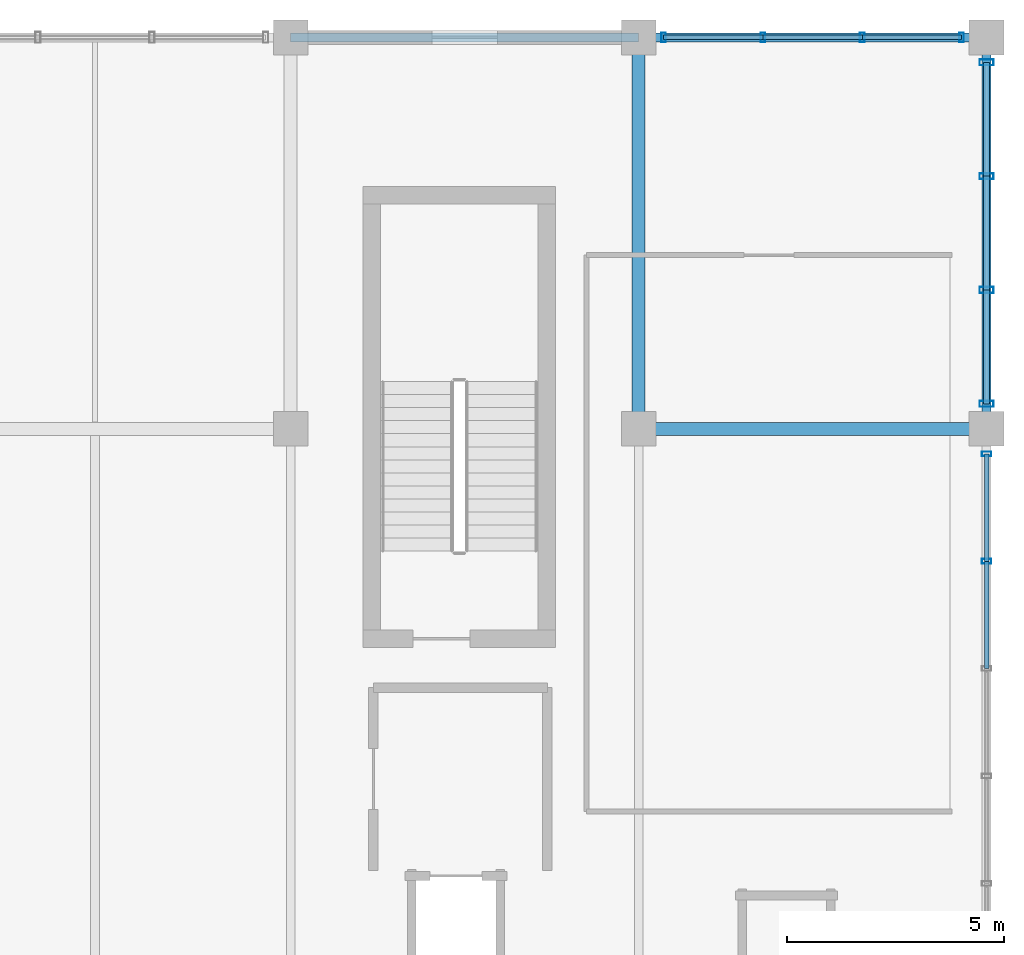
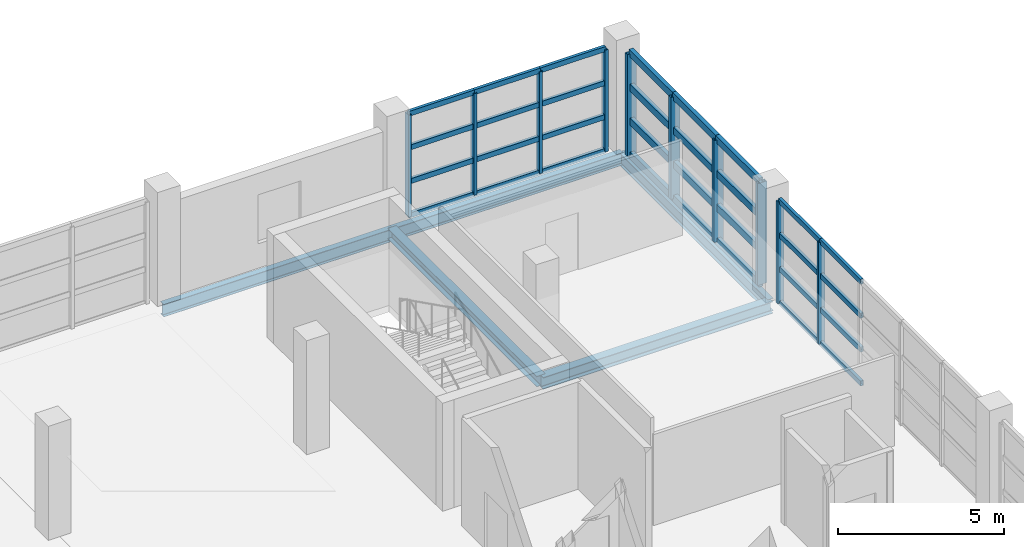
# One storey, part 96 of 136: 42 members, 5 beams, 3 elements without a shape of their own.
"""IFC4 building model written with IfcOpenShell, lengths in metres."""

from ifc_helpers import new_model, si_unit, direction, frame, origin, origin_2d, place, context, subcontext, project, spatial, hollow_rectangle, i_section, extrude, material, material_profile, profile_set, type_object, element, aggregate, save


model = new_model("IFC4")

# Units and contexts
model_context = context("Model", 3, precision=1e-05, world=origin(), true_north=direction((0.0, 1.0)))
body_context = subcontext(model_context, "Body", "Model", "MODEL_VIEW")
ifc_project = project(units=[si_unit("LENGTHUNIT", "METRE"), si_unit("AREAUNIT", "SQUARE_METRE"), si_unit("VOLUMEUNIT", "CUBIC_METRE"), si_unit("PLANEANGLEUNIT", "RADIAN"), si_unit("MASSUNIT", "GRAM", prefix="KILO")], contexts=[model_context])

# Site, building, storey
site_placement = place(None, origin())
site = spatial("IfcSite", under=ifc_project, at=site_placement, CompositionType="ELEMENT")
building_placement = place(site_placement, origin())
building = spatial("IfcBuilding", under=site, at=building_placement, Name="Chuanluo Vaults Station", CompositionType="ELEMENT")
storey_placement = place(building_placement, frame((0.0, 0.0, 6.60009765625)))
storey = spatial("IfcBuildingStorey", under=building, at=storey_placement, Name="L01", CompositionType="ELEMENT", Elevation=6.60009765625)

# Beams
ifc_material_1 = material(Name="Steel Q355C", Category="steel")
ifc_material_profile_1 = material_profile(ifc_material_1, i_section(OverallWidth=0.300048828125, OverallDepth=0.389892578125, WebThickness=0.010009765625, FlangeThickness=0.01611328125, FilletRadius=0.02001953125, at=origin_2d()))
ifc_profile_set_1 = profile_set([ifc_material_profile_1], Name="Steel Q355C")
beam_type_1 = type_object("IfcBeamType", Name="BM-GRD-400", PredefinedType="BEAM", material=ifc_profile_set_1)
beam_1_placement = place(storey_placement, frame((180.0, 117.0, -0.43505859375), z_axis=(0.0, 1.0, 0.0), x_axis=(-1.0, 0.0, 0.0)))
element("IfcBeam", 1, at=beam_1_placement, inside=storey, type_object=beam_type_1, Name="Floor girder BM:GY:L01:0522", PredefinedType="BEAM", context=body_context, shape_type="SweptSolid", body=[
    extrude(i_section(OverallWidth=0.300048828125, OverallDepth=0.389892578125, WebThickness=0.010009765625, FlangeThickness=0.01611328125, FilletRadius=0.02001953125, at=origin_2d()), origin(), (0.0, 0.0, 1.0), 9.0),
])
ifc_material_2 = material(Name="Steel Q355C", Category="steel")
ifc_material_profile_2 = material_profile(ifc_material_2, i_section(OverallWidth=0.300048828125, OverallDepth=0.43994140625, WebThickness=0.010986328125, FlangeThickness=0.01806640625, FilletRadius=0.02001953125, at=origin_2d()))
ifc_profile_set_2 = profile_set([ifc_material_profile_2], Name="Steel Q355C")
beam_type_2 = type_object("IfcBeamType", Name="BM-GRD-450", PredefinedType="USERDEFINED", material=ifc_profile_set_2)
beam_2_placement = place(storey_placement, frame((180.0, 117.0, -0.460205078125), z_axis=(1.0, 0.0, 0.0), x_axis=(0.0, 1.0, 0.0)))
element("IfcBeam", 2, at=beam_2_placement, inside=storey, type_object=beam_type_2, Name="Floor girder BM:GX:L01:0390", ObjectType="GIRDER", PredefinedType="USERDEFINED", context=body_context, shape_type="SweptSolid", body=[
    extrude(i_section(OverallWidth=0.300048828125, OverallDepth=0.43994140625, WebThickness=0.010986328125, FlangeThickness=0.01806640625, FilletRadius=0.02001953125, at=origin_2d()), origin(), (0.0, 0.0, 1.0), 8.0),
])
ifc_material_3 = material(Name="Steel Q355C", Category="steel")
ifc_material_profile_3 = material_profile(ifc_material_3, i_section(OverallWidth=0.205078125, OverallDepth=0.4599609375, WebThickness=0.009033203125, FlangeThickness=0.013916015625, FilletRadius=0.01611328125, at=origin_2d()))
ifc_profile_set_3 = profile_set([ifc_material_profile_3], Name="Steel Q355C")
beam_type_3 = type_object("IfcBeamType", Name="BM-SPN-450", PredefinedType="SPANDREL", material=ifc_profile_set_3)
for number, where, z_axis, x_axis, name in (
    (3, (172.0, 126.0, -0.47021484375), (1.0, 0.0, 0.0), (0.0, 1.0, 0.0), "Floor girder BM:GX:L01:0404"),
    (4, (180.0, 126.0, -0.47021484375), (1.0, 0.0, 0.0), (0.0, 1.0, 0.0), "Floor girder BM:GX:L01:0405"),
):
    element("IfcBeam", number, at=place(storey_placement, frame(where, z_axis=z_axis, x_axis=x_axis)), inside=storey, type_object=beam_type_3, Name=name, PredefinedType="SPANDREL", context=body_context, shape_type="SweptSolid", body=[
        extrude(i_section(OverallWidth=0.205078125, OverallDepth=0.4599609375, WebThickness=0.009033203125, FlangeThickness=0.013916015625, FilletRadius=0.01611328125, at=origin_2d()), origin(), (0.0, 0.0, 1.0), 8.0),
    ])
beam_3_placement = place(storey_placement, frame((188.0, 117.0, -0.47021484375), z_axis=(0.0, 1.0, 0.0), x_axis=(-1.0, 0.0, 0.0)))
element("IfcBeam", 5, at=beam_3_placement, inside=storey, type_object=beam_type_3, Name="Floor girder BM:GY:L01:0534", PredefinedType="SPANDREL", context=body_context, shape_type="SweptSolid", body=[
    extrude(i_section(OverallWidth=0.205078125, OverallDepth=0.4599609375, WebThickness=0.009033203125, FlangeThickness=0.013916015625, FilletRadius=0.01611328125, at=origin_2d()), origin(), (0.0, 0.0, 1.0), 9.0),
])

# Curtain wall, members
ifc_material_4 = material(Name="Anodised aluminium 6063-T6", Category="aluminium")
curtain_wall_type_1 = type_object("IfcCurtainWallType", Name="CW-SYS-24", PredefinedType="NOTDEFINED", material=ifc_material_4)
curtain_wall_1_placement = place(storey_placement, origin())
curtain_wall_1 = element("IfcCurtainWall", 6, at=curtain_wall_1_placement, inside=storey, type_object=curtain_wall_type_1, Name="Operations L01 facade CW", PredefinedType="NOTDEFINED")
ifc_material_5 = material(Name="Anodised aluminium 6063-T6", Category="aluminium")
ifc_material_profile_4 = material_profile(ifc_material_5, hollow_rectangle(XDim=0.10498046875, YDim=0.219970703125, WallThickness=0.006103515625, at=origin_2d()))
ifc_profile_set_4 = profile_set([ifc_material_profile_4], Name="Anodised aluminium 6063-T6")
member_type_1 = type_object("IfcMemberType", Name="CWM-140", PredefinedType="MULLION", material=ifc_profile_set_4)
member_1_placement = place(storey_placement, frame((180.574951171875, 126.0, 0.0), z_axis=(0.0, 0.0, 1.0), x_axis=(1.0, 0.0, 0.0)))
member_1 = element("IfcMember", 7, at=member_1_placement, type_object=member_type_1, Name="Operations L01 facade CW mullion 1", PredefinedType="MULLION", context=body_context, shape_type="SweptSolid", body=[
    extrude(hollow_rectangle(XDim=0.10498046875, YDim=0.219970703125, WallThickness=0.006103515625, at=origin_2d()), origin(), (0.0, 0.0, 1.0), 3.75),
])
member_2_placement = place(storey_placement, frame((182.8583984375, 126.0, 0.0), z_axis=(0.0, 0.0, 1.0), x_axis=(1.0, 0.0, 0.0)))
member_2 = element("IfcMember", 8, at=member_2_placement, type_object=member_type_1, Name="Operations L01 facade CW mullion 2", PredefinedType="MULLION", context=body_context, shape_type="SweptSolid", body=[
    extrude(hollow_rectangle(XDim=0.10498046875, YDim=0.219970703125, WallThickness=0.006103515625, at=origin_2d()), origin(), (0.0, 0.0, 1.0), 3.75),
])
member_3_placement = place(storey_placement, frame((185.1416015625, 126.0, 0.0), z_axis=(0.0, 0.0, 1.0), x_axis=(1.0, 0.0, 0.0)))
member_3 = element("IfcMember", 9, at=member_3_placement, type_object=member_type_1, Name="Operations L01 facade CW mullion 3", PredefinedType="MULLION", context=body_context, shape_type="SweptSolid", body=[
    extrude(hollow_rectangle(XDim=0.10498046875, YDim=0.219970703125, WallThickness=0.006103515625, at=origin_2d()), origin(), (0.0, 0.0, 1.0), 3.75),
])
member_4_placement = place(storey_placement, frame((187.425048828125, 126.0, 0.0), z_axis=(0.0, 0.0, 1.0), x_axis=(1.0, 0.0, 0.0)))
member_4 = element("IfcMember", 10, at=member_4_placement, type_object=member_type_1, Name="Operations L01 facade CW mullion 4", PredefinedType="MULLION", context=body_context, shape_type="SweptSolid", body=[
    extrude(hollow_rectangle(XDim=0.10498046875, YDim=0.219970703125, WallThickness=0.006103515625, at=origin_2d()), origin(), (0.0, 0.0, 1.0), 3.75),
])

ifc_material_6 = material(Name="Anodised aluminium 6063-T6", Category="aluminium")
curtain_wall_type_2 = type_object("IfcCurtainWallType", Name="CW-SYS-28", PredefinedType="NOTDEFINED", material=ifc_material_6)
curtain_wall_2_placement = place(storey_placement, origin())
curtain_wall_2 = element("IfcCurtainWall", 11, at=curtain_wall_2_placement, inside=storey, type_object=curtain_wall_type_2, Name="Operations L01 facade CW", PredefinedType="NOTDEFINED")
member_5_placement = place(storey_placement, frame((188.0, 116.425048828125, 0.0), z_axis=(0.0, 0.0, 1.0), x_axis=(0.0, -1.0, 0.0)))
member_5 = element("IfcMember", 12, at=member_5_placement, type_object=member_type_1, Name="Operations L01 facade CW mullion 1", PredefinedType="MULLION", context=body_context, shape_type="SweptSolid", body=[
    extrude(hollow_rectangle(XDim=0.10498046875, YDim=0.219970703125, WallThickness=0.006103515625, at=origin_2d()), origin(), (0.0, 0.0, 1.0), 3.75),
])
member_6_placement = place(storey_placement, frame((188.0, 113.955078125, 0.0), z_axis=(0.0, 0.0, 1.0), x_axis=(0.0, -1.0, 0.0)))
member_6 = element("IfcMember", 13, at=member_6_placement, type_object=member_type_1, Name="Operations L01 facade CW mullion 2", PredefinedType="MULLION", context=body_context, shape_type="SweptSolid", body=[
    extrude(hollow_rectangle(XDim=0.10498046875, YDim=0.219970703125, WallThickness=0.006103515625, at=origin_2d()), origin(), (0.0, 0.0, 1.0), 3.75),
])

ifc_material_7 = material(Name="Anodised aluminium 6063-T6", Category="aluminium")
curtain_wall_type_3 = type_object("IfcCurtainWallType", Name="CW-SYS-01", PredefinedType="NOTDEFINED", material=ifc_material_7)
curtain_wall_3_placement = place(storey_placement, origin())
curtain_wall_3 = element("IfcCurtainWall", 14, at=curtain_wall_3_placement, inside=storey, type_object=curtain_wall_type_3, Name="Operations L01 facade CW", PredefinedType="NOTDEFINED")
ifc_material_8 = material(Name="Anodised aluminium 6063-T6", Category="aluminium")
ifc_material_profile_5 = material_profile(ifc_material_8, hollow_rectangle(XDim=0.139892578125, YDim=0.320068359375, WallThickness=0.008056640625, at=origin_2d()))
ifc_profile_set_5 = profile_set([ifc_material_profile_5], Name="Anodised aluminium 6063-T6")
member_type_2 = type_object("IfcMemberType", Name="CWM-220", PredefinedType="MULLION", material=ifc_profile_set_5)
member_7_placement = place(storey_placement, frame((188.0, 125.425048828125, 0.0), z_axis=(0.0, 0.0, 1.0), x_axis=(0.0, -1.0, 0.0)))
member_7 = element("IfcMember", 15, at=member_7_placement, type_object=member_type_2, Name="Operations L01 facade CW mullion 1", PredefinedType="MULLION", context=body_context, shape_type="SweptSolid", body=[
    extrude(hollow_rectangle(XDim=0.139892578125, YDim=0.320068359375, WallThickness=0.008056640625, at=origin_2d()), origin(), (0.0, 0.0, 1.0), 3.75),
])
member_8_placement = place(storey_placement, frame((188.0, 122.808349609375, 0.0), z_axis=(0.0, 0.0, 1.0), x_axis=(0.0, -1.0, 0.0)))
member_8 = element("IfcMember", 16, at=member_8_placement, type_object=member_type_2, Name="Operations L01 facade CW mullion 2", PredefinedType="MULLION", context=body_context, shape_type="SweptSolid", body=[
    extrude(hollow_rectangle(XDim=0.139892578125, YDim=0.320068359375, WallThickness=0.008056640625, at=origin_2d()), origin(), (0.0, 0.0, 1.0), 3.75),
])
member_9_placement = place(storey_placement, frame((188.0, 120.191650390625, 0.0), z_axis=(0.0, 0.0, 1.0), x_axis=(0.0, -1.0, 0.0)))
member_9 = element("IfcMember", 17, at=member_9_placement, type_object=member_type_2, Name="Operations L01 facade CW mullion 3", PredefinedType="MULLION", context=body_context, shape_type="SweptSolid", body=[
    extrude(hollow_rectangle(XDim=0.139892578125, YDim=0.320068359375, WallThickness=0.008056640625, at=origin_2d()), origin(), (0.0, 0.0, 1.0), 3.75),
])
member_10_placement = place(storey_placement, frame((188.0, 117.574951171875, 0.0), z_axis=(0.0, 0.0, 1.0), x_axis=(0.0, -1.0, 0.0)))
member_10 = element("IfcMember", 18, at=member_10_placement, type_object=member_type_2, Name="Operations L01 facade CW mullion 4", PredefinedType="MULLION", context=body_context, shape_type="SweptSolid", body=[
    extrude(hollow_rectangle(XDim=0.139892578125, YDim=0.320068359375, WallThickness=0.008056640625, at=origin_2d()), origin(), (0.0, 0.0, 1.0), 3.75),
])

# Member
ifc_material_9 = material(Name="Anodised aluminium 6063-T6", Category="aluminium")
ifc_material_profile_6 = material_profile(ifc_material_9, hollow_rectangle(XDim=0.10498046875, YDim=0.18505859375, WallThickness=0.0048828125, at=origin_2d()))
ifc_profile_set_6 = profile_set([ifc_material_profile_6], Name="Anodised aluminium 6063-T6")
member_type_3 = type_object("IfcMemberType", Name="CWT-110", PredefinedType="USERDEFINED", material=ifc_profile_set_6)
member_11_placement = place(storey_placement, frame((180.574951171875, 126.0, 0.0), z_axis=(1.0, 0.0, 0.0), x_axis=(0.0, 1.0, 0.0)))
member_11 = element("IfcMember", 19, at=member_11_placement, type_object=member_type_3, Name="Operations L01 facade CW transom 1.1", ObjectType="TRANSOM", PredefinedType="USERDEFINED", context=body_context, shape_type="SweptSolid", body=[
    extrude(hollow_rectangle(XDim=0.10498046875, YDim=0.18505859375, WallThickness=0.0048828125, at=origin_2d()), origin(), (0.0, 0.0, 1.0), 2.283447265625),
])

member_12_placement = place(storey_placement, frame((180.574951171875, 126.0, 1.25), z_axis=(1.0, 0.0, 0.0), x_axis=(0.0, 1.0, 0.0)))
member_12 = element("IfcMember", 20, at=member_12_placement, type_object=member_type_3, Name="Operations L01 facade CW transom 1.2", ObjectType="TRANSOM", PredefinedType="USERDEFINED", context=body_context, shape_type="SweptSolid", body=[
    extrude(hollow_rectangle(XDim=0.10498046875, YDim=0.18505859375, WallThickness=0.0048828125, at=origin_2d()), origin(), (0.0, 0.0, 1.0), 2.283447265625),
])

member_13_placement = place(storey_placement, frame((180.574951171875, 126.0, 2.5), z_axis=(1.0, 0.0, 0.0), x_axis=(0.0, 1.0, 0.0)))
member_13 = element("IfcMember", 21, at=member_13_placement, type_object=member_type_3, Name="Operations L01 facade CW transom 1.3", ObjectType="TRANSOM", PredefinedType="USERDEFINED", context=body_context, shape_type="SweptSolid", body=[
    extrude(hollow_rectangle(XDim=0.10498046875, YDim=0.18505859375, WallThickness=0.0048828125, at=origin_2d()), origin(), (0.0, 0.0, 1.0), 2.283447265625),
])

member_14_placement = place(storey_placement, frame((180.574951171875, 126.0, 3.75), z_axis=(1.0, 0.0, 0.0), x_axis=(0.0, 1.0, 0.0)))
member_14 = element("IfcMember", 22, at=member_14_placement, type_object=member_type_3, Name="Operations L01 facade CW transom 1.4", ObjectType="TRANSOM", PredefinedType="USERDEFINED", context=body_context, shape_type="SweptSolid", body=[
    extrude(hollow_rectangle(XDim=0.10498046875, YDim=0.18505859375, WallThickness=0.0048828125, at=origin_2d()), origin(), (0.0, 0.0, 1.0), 2.283447265625),
])

member_15_placement = place(storey_placement, frame((182.8583984375, 126.0, 0.0), z_axis=(1.0, 0.0, 0.0), x_axis=(0.0, 1.0, 0.0)))
member_15 = element("IfcMember", 23, at=member_15_placement, type_object=member_type_3, Name="Operations L01 facade CW transom 2.1", ObjectType="TRANSOM", PredefinedType="USERDEFINED", context=body_context, shape_type="SweptSolid", body=[
    extrude(hollow_rectangle(XDim=0.10498046875, YDim=0.18505859375, WallThickness=0.0048828125, at=origin_2d()), origin(), (0.0, 0.0, 1.0), 2.283203125),
])

member_16_placement = place(storey_placement, frame((182.8583984375, 126.0, 1.25), z_axis=(1.0, 0.0, 0.0), x_axis=(0.0, 1.0, 0.0)))
member_16 = element("IfcMember", 24, at=member_16_placement, type_object=member_type_3, Name="Operations L01 facade CW transom 2.2", ObjectType="TRANSOM", PredefinedType="USERDEFINED", context=body_context, shape_type="SweptSolid", body=[
    extrude(hollow_rectangle(XDim=0.10498046875, YDim=0.18505859375, WallThickness=0.0048828125, at=origin_2d()), origin(), (0.0, 0.0, 1.0), 2.283203125),
])

member_17_placement = place(storey_placement, frame((182.8583984375, 126.0, 2.5), z_axis=(1.0, 0.0, 0.0), x_axis=(0.0, 1.0, 0.0)))
member_17 = element("IfcMember", 25, at=member_17_placement, type_object=member_type_3, Name="Operations L01 facade CW transom 2.3", ObjectType="TRANSOM", PredefinedType="USERDEFINED", context=body_context, shape_type="SweptSolid", body=[
    extrude(hollow_rectangle(XDim=0.10498046875, YDim=0.18505859375, WallThickness=0.0048828125, at=origin_2d()), origin(), (0.0, 0.0, 1.0), 2.283203125),
])

member_18_placement = place(storey_placement, frame((182.8583984375, 126.0, 3.75), z_axis=(1.0, 0.0, 0.0), x_axis=(0.0, 1.0, 0.0)))
member_18 = element("IfcMember", 26, at=member_18_placement, type_object=member_type_3, Name="Operations L01 facade CW transom 2.4", ObjectType="TRANSOM", PredefinedType="USERDEFINED", context=body_context, shape_type="SweptSolid", body=[
    extrude(hollow_rectangle(XDim=0.10498046875, YDim=0.18505859375, WallThickness=0.0048828125, at=origin_2d()), origin(), (0.0, 0.0, 1.0), 2.283203125),
])

member_19_placement = place(storey_placement, frame((185.1416015625, 126.0, 0.0), z_axis=(1.0, 0.0, 0.0), x_axis=(0.0, 1.0, 0.0)))
member_19 = element("IfcMember", 27, at=member_19_placement, type_object=member_type_3, Name="Operations L01 facade CW transom 3.1", ObjectType="TRANSOM", PredefinedType="USERDEFINED", context=body_context, shape_type="SweptSolid", body=[
    extrude(hollow_rectangle(XDim=0.10498046875, YDim=0.18505859375, WallThickness=0.0048828125, at=origin_2d()), origin(), (0.0, 0.0, 1.0), 2.283447265625),
])

member_20_placement = place(storey_placement, frame((185.1416015625, 126.0, 1.25), z_axis=(1.0, 0.0, 0.0), x_axis=(0.0, 1.0, 0.0)))
member_20 = element("IfcMember", 28, at=member_20_placement, type_object=member_type_3, Name="Operations L01 facade CW transom 3.2", ObjectType="TRANSOM", PredefinedType="USERDEFINED", context=body_context, shape_type="SweptSolid", body=[
    extrude(hollow_rectangle(XDim=0.10498046875, YDim=0.18505859375, WallThickness=0.0048828125, at=origin_2d()), origin(), (0.0, 0.0, 1.0), 2.283447265625),
])

member_21_placement = place(storey_placement, frame((185.1416015625, 126.0, 2.5), z_axis=(1.0, 0.0, 0.0), x_axis=(0.0, 1.0, 0.0)))
member_21 = element("IfcMember", 29, at=member_21_placement, type_object=member_type_3, Name="Operations L01 facade CW transom 3.3", ObjectType="TRANSOM", PredefinedType="USERDEFINED", context=body_context, shape_type="SweptSolid", body=[
    extrude(hollow_rectangle(XDim=0.10498046875, YDim=0.18505859375, WallThickness=0.0048828125, at=origin_2d()), origin(), (0.0, 0.0, 1.0), 2.283447265625),
])

member_22_placement = place(storey_placement, frame((185.1416015625, 126.0, 3.75), z_axis=(1.0, 0.0, 0.0), x_axis=(0.0, 1.0, 0.0)))
member_22 = element("IfcMember", 30, at=member_22_placement, type_object=member_type_3, Name="Operations L01 facade CW transom 3.4", ObjectType="TRANSOM", PredefinedType="USERDEFINED", context=body_context, shape_type="SweptSolid", body=[
    extrude(hollow_rectangle(XDim=0.10498046875, YDim=0.18505859375, WallThickness=0.0048828125, at=origin_2d()), origin(), (0.0, 0.0, 1.0), 2.283447265625),
])

aggregate(curtain_wall_1, [member_1, member_2, member_3, member_4, member_11, member_12, member_13, member_14, member_15, member_16, member_17, member_18, member_19, member_20, member_21, member_22])

member_23_placement = place(storey_placement, frame((188.0, 116.425048828125, 0.0), z_axis=(0.0, -1.0, 0.0), x_axis=(1.0, 0.0, 0.0)))
member_23 = element("IfcMember", 31, at=member_23_placement, type_object=member_type_3, Name="Operations L01 facade CW transom 1.1", ObjectType="TRANSOM", PredefinedType="USERDEFINED", context=body_context, shape_type="SweptSolid", body=[
    extrude(hollow_rectangle(XDim=0.10498046875, YDim=0.18505859375, WallThickness=0.0048828125, at=origin_2d()), origin(), (0.0, 0.0, 1.0), 2.469970703125),
])

member_24_placement = place(storey_placement, frame((188.0, 116.425048828125, 1.25), z_axis=(0.0, -1.0, 0.0), x_axis=(1.0, 0.0, 0.0)))
member_24 = element("IfcMember", 32, at=member_24_placement, type_object=member_type_3, Name="Operations L01 facade CW transom 1.2", ObjectType="TRANSOM", PredefinedType="USERDEFINED", context=body_context, shape_type="SweptSolid", body=[
    extrude(hollow_rectangle(XDim=0.10498046875, YDim=0.18505859375, WallThickness=0.0048828125, at=origin_2d()), origin(), (0.0, 0.0, 1.0), 2.469970703125),
])

member_25_placement = place(storey_placement, frame((188.0, 116.425048828125, 2.5), z_axis=(0.0, -1.0, 0.0), x_axis=(1.0, 0.0, 0.0)))
member_25 = element("IfcMember", 33, at=member_25_placement, type_object=member_type_3, Name="Operations L01 facade CW transom 1.3", ObjectType="TRANSOM", PredefinedType="USERDEFINED", context=body_context, shape_type="SweptSolid", body=[
    extrude(hollow_rectangle(XDim=0.10498046875, YDim=0.18505859375, WallThickness=0.0048828125, at=origin_2d()), origin(), (0.0, 0.0, 1.0), 2.469970703125),
])

member_26_placement = place(storey_placement, frame((188.0, 116.425048828125, 3.75), z_axis=(0.0, -1.0, 0.0), x_axis=(1.0, 0.0, 0.0)))
member_26 = element("IfcMember", 34, at=member_26_placement, type_object=member_type_3, Name="Operations L01 facade CW transom 1.4", ObjectType="TRANSOM", PredefinedType="USERDEFINED", context=body_context, shape_type="SweptSolid", body=[
    extrude(hollow_rectangle(XDim=0.10498046875, YDim=0.18505859375, WallThickness=0.0048828125, at=origin_2d()), origin(), (0.0, 0.0, 1.0), 2.469970703125),
])

member_27_placement = place(storey_placement, frame((188.0, 113.955078125, 0.0), z_axis=(0.0, -1.0, 0.0), x_axis=(1.0, 0.0, 0.0)))
member_27 = element("IfcMember", 35, at=member_27_placement, type_object=member_type_3, Name="Operations L01 facade CW transom 2.1", ObjectType="TRANSOM", PredefinedType="USERDEFINED", context=body_context, shape_type="SweptSolid", body=[
    extrude(hollow_rectangle(XDim=0.10498046875, YDim=0.18505859375, WallThickness=0.0048828125, at=origin_2d()), origin(), (0.0, 0.0, 1.0), 2.469970703125),
])

member_28_placement = place(storey_placement, frame((188.0, 113.955078125, 1.25), z_axis=(0.0, -1.0, 0.0), x_axis=(1.0, 0.0, 0.0)))
member_28 = element("IfcMember", 36, at=member_28_placement, type_object=member_type_3, Name="Operations L01 facade CW transom 2.2", ObjectType="TRANSOM", PredefinedType="USERDEFINED", context=body_context, shape_type="SweptSolid", body=[
    extrude(hollow_rectangle(XDim=0.10498046875, YDim=0.18505859375, WallThickness=0.0048828125, at=origin_2d()), origin(), (0.0, 0.0, 1.0), 2.469970703125),
])

member_29_placement = place(storey_placement, frame((188.0, 113.955078125, 2.5), z_axis=(0.0, -1.0, 0.0), x_axis=(1.0, 0.0, 0.0)))
member_29 = element("IfcMember", 37, at=member_29_placement, type_object=member_type_3, Name="Operations L01 facade CW transom 2.3", ObjectType="TRANSOM", PredefinedType="USERDEFINED", context=body_context, shape_type="SweptSolid", body=[
    extrude(hollow_rectangle(XDim=0.10498046875, YDim=0.18505859375, WallThickness=0.0048828125, at=origin_2d()), origin(), (0.0, 0.0, 1.0), 2.469970703125),
])

member_30_placement = place(storey_placement, frame((188.0, 113.955078125, 3.75), z_axis=(0.0, -1.0, 0.0), x_axis=(1.0, 0.0, 0.0)))
member_30 = element("IfcMember", 38, at=member_30_placement, type_object=member_type_3, Name="Operations L01 facade CW transom 2.4", ObjectType="TRANSOM", PredefinedType="USERDEFINED", context=body_context, shape_type="SweptSolid", body=[
    extrude(hollow_rectangle(XDim=0.10498046875, YDim=0.18505859375, WallThickness=0.0048828125, at=origin_2d()), origin(), (0.0, 0.0, 1.0), 2.469970703125),
])

aggregate(curtain_wall_2, [member_5, member_6, member_23, member_24, member_25, member_26, member_27, member_28, member_29, member_30])

ifc_material_10 = material(Name="Anodised aluminium 6063-T6", Category="aluminium")
ifc_material_profile_7 = material_profile(ifc_material_10, hollow_rectangle(XDim=0.139892578125, YDim=0.260009765625, WallThickness=0.007080078125, at=origin_2d()))
ifc_profile_set_7 = profile_set([ifc_material_profile_7], Name="Anodised aluminium 6063-T6")
member_type_4 = type_object("IfcMemberType", Name="CWT-180", PredefinedType="USERDEFINED", material=ifc_profile_set_7)
member_31_placement = place(storey_placement, frame((188.0, 125.425048828125, 0.0), z_axis=(0.0, -1.0, 0.0), x_axis=(1.0, 0.0, 0.0)))
member_31 = element("IfcMember", 39, at=member_31_placement, type_object=member_type_4, Name="Operations L01 facade CW transom 1.1", ObjectType="TRANSOM", PredefinedType="USERDEFINED", context=body_context, shape_type="SweptSolid", body=[
    extrude(hollow_rectangle(XDim=0.139892578125, YDim=0.260009765625, WallThickness=0.007080078125, at=origin_2d()), origin(), (0.0, 0.0, 1.0), 2.61669921875),
])

member_32_placement = place(storey_placement, frame((188.0, 125.425048828125, 1.25), z_axis=(0.0, -1.0, 0.0), x_axis=(1.0, 0.0, 0.0)))
member_32 = element("IfcMember", 40, at=member_32_placement, type_object=member_type_4, Name="Operations L01 facade CW transom 1.2", ObjectType="TRANSOM", PredefinedType="USERDEFINED", context=body_context, shape_type="SweptSolid", body=[
    extrude(hollow_rectangle(XDim=0.139892578125, YDim=0.260009765625, WallThickness=0.007080078125, at=origin_2d()), origin(), (0.0, 0.0, 1.0), 2.61669921875),
])

member_33_placement = place(storey_placement, frame((188.0, 125.425048828125, 2.5), z_axis=(0.0, -1.0, 0.0), x_axis=(1.0, 0.0, 0.0)))
member_33 = element("IfcMember", 41, at=member_33_placement, type_object=member_type_4, Name="Operations L01 facade CW transom 1.3", ObjectType="TRANSOM", PredefinedType="USERDEFINED", context=body_context, shape_type="SweptSolid", body=[
    extrude(hollow_rectangle(XDim=0.139892578125, YDim=0.260009765625, WallThickness=0.007080078125, at=origin_2d()), origin(), (0.0, 0.0, 1.0), 2.61669921875),
])

member_34_placement = place(storey_placement, frame((188.0, 125.425048828125, 3.75), z_axis=(0.0, -1.0, 0.0), x_axis=(1.0, 0.0, 0.0)))
member_34 = element("IfcMember", 42, at=member_34_placement, type_object=member_type_4, Name="Operations L01 facade CW transom 1.4", ObjectType="TRANSOM", PredefinedType="USERDEFINED", context=body_context, shape_type="SweptSolid", body=[
    extrude(hollow_rectangle(XDim=0.139892578125, YDim=0.260009765625, WallThickness=0.007080078125, at=origin_2d()), origin(), (0.0, 0.0, 1.0), 2.61669921875),
])

member_35_placement = place(storey_placement, frame((188.0, 122.808349609375, 0.0), z_axis=(0.0, -1.0, 0.0), x_axis=(1.0, 0.0, 0.0)))
member_35 = element("IfcMember", 43, at=member_35_placement, type_object=member_type_4, Name="Operations L01 facade CW transom 2.1", ObjectType="TRANSOM", PredefinedType="USERDEFINED", context=body_context, shape_type="SweptSolid", body=[
    extrude(hollow_rectangle(XDim=0.139892578125, YDim=0.260009765625, WallThickness=0.007080078125, at=origin_2d()), origin(), (0.0, 0.0, 1.0), 2.61669921875),
])

member_36_placement = place(storey_placement, frame((188.0, 122.808349609375, 1.25), z_axis=(0.0, -1.0, 0.0), x_axis=(1.0, 0.0, 0.0)))
member_36 = element("IfcMember", 44, at=member_36_placement, type_object=member_type_4, Name="Operations L01 facade CW transom 2.2", ObjectType="TRANSOM", PredefinedType="USERDEFINED", context=body_context, shape_type="SweptSolid", body=[
    extrude(hollow_rectangle(XDim=0.139892578125, YDim=0.260009765625, WallThickness=0.007080078125, at=origin_2d()), origin(), (0.0, 0.0, 1.0), 2.61669921875),
])

member_37_placement = place(storey_placement, frame((188.0, 122.808349609375, 2.5), z_axis=(0.0, -1.0, 0.0), x_axis=(1.0, 0.0, 0.0)))
member_37 = element("IfcMember", 45, at=member_37_placement, type_object=member_type_4, Name="Operations L01 facade CW transom 2.3", ObjectType="TRANSOM", PredefinedType="USERDEFINED", context=body_context, shape_type="SweptSolid", body=[
    extrude(hollow_rectangle(XDim=0.139892578125, YDim=0.260009765625, WallThickness=0.007080078125, at=origin_2d()), origin(), (0.0, 0.0, 1.0), 2.61669921875),
])

member_38_placement = place(storey_placement, frame((188.0, 122.808349609375, 3.75), z_axis=(0.0, -1.0, 0.0), x_axis=(1.0, 0.0, 0.0)))
member_38 = element("IfcMember", 46, at=member_38_placement, type_object=member_type_4, Name="Operations L01 facade CW transom 2.4", ObjectType="TRANSOM", PredefinedType="USERDEFINED", context=body_context, shape_type="SweptSolid", body=[
    extrude(hollow_rectangle(XDim=0.139892578125, YDim=0.260009765625, WallThickness=0.007080078125, at=origin_2d()), origin(), (0.0, 0.0, 1.0), 2.61669921875),
])

member_39_placement = place(storey_placement, frame((188.0, 120.191650390625, 0.0), z_axis=(0.0, -1.0, 0.0), x_axis=(1.0, 0.0, 0.0)))
member_39 = element("IfcMember", 47, at=member_39_placement, type_object=member_type_4, Name="Operations L01 facade CW transom 3.1", ObjectType="TRANSOM", PredefinedType="USERDEFINED", context=body_context, shape_type="SweptSolid", body=[
    extrude(hollow_rectangle(XDim=0.139892578125, YDim=0.260009765625, WallThickness=0.007080078125, at=origin_2d()), origin(), (0.0, 0.0, 1.0), 2.61669921875),
])

member_40_placement = place(storey_placement, frame((188.0, 120.191650390625, 1.25), z_axis=(0.0, -1.0, 0.0), x_axis=(1.0, 0.0, 0.0)))
member_40 = element("IfcMember", 48, at=member_40_placement, type_object=member_type_4, Name="Operations L01 facade CW transom 3.2", ObjectType="TRANSOM", PredefinedType="USERDEFINED", context=body_context, shape_type="SweptSolid", body=[
    extrude(hollow_rectangle(XDim=0.139892578125, YDim=0.260009765625, WallThickness=0.007080078125, at=origin_2d()), origin(), (0.0, 0.0, 1.0), 2.61669921875),
])

member_41_placement = place(storey_placement, frame((188.0, 120.191650390625, 2.5), z_axis=(0.0, -1.0, 0.0), x_axis=(1.0, 0.0, 0.0)))
member_41 = element("IfcMember", 49, at=member_41_placement, type_object=member_type_4, Name="Operations L01 facade CW transom 3.3", ObjectType="TRANSOM", PredefinedType="USERDEFINED", context=body_context, shape_type="SweptSolid", body=[
    extrude(hollow_rectangle(XDim=0.139892578125, YDim=0.260009765625, WallThickness=0.007080078125, at=origin_2d()), origin(), (0.0, 0.0, 1.0), 2.61669921875),
])

member_42_placement = place(storey_placement, frame((188.0, 120.191650390625, 3.75), z_axis=(0.0, -1.0, 0.0), x_axis=(1.0, 0.0, 0.0)))
member_42 = element("IfcMember", 50, at=member_42_placement, type_object=member_type_4, Name="Operations L01 facade CW transom 3.4", ObjectType="TRANSOM", PredefinedType="USERDEFINED", context=body_context, shape_type="SweptSolid", body=[
    extrude(hollow_rectangle(XDim=0.139892578125, YDim=0.260009765625, WallThickness=0.007080078125, at=origin_2d()), origin(), (0.0, 0.0, 1.0), 2.61669921875),
])

aggregate(curtain_wall_3, [member_7, member_8, member_9, member_10, member_31, member_32, member_33, member_34, member_35, member_36, member_37, member_38, member_39, member_40, member_41, member_42])

save(model, "model.ifc")
